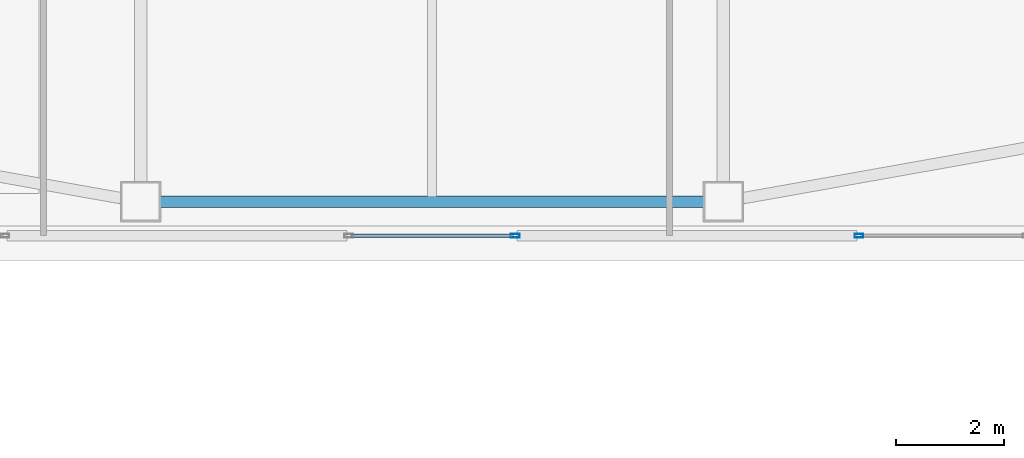
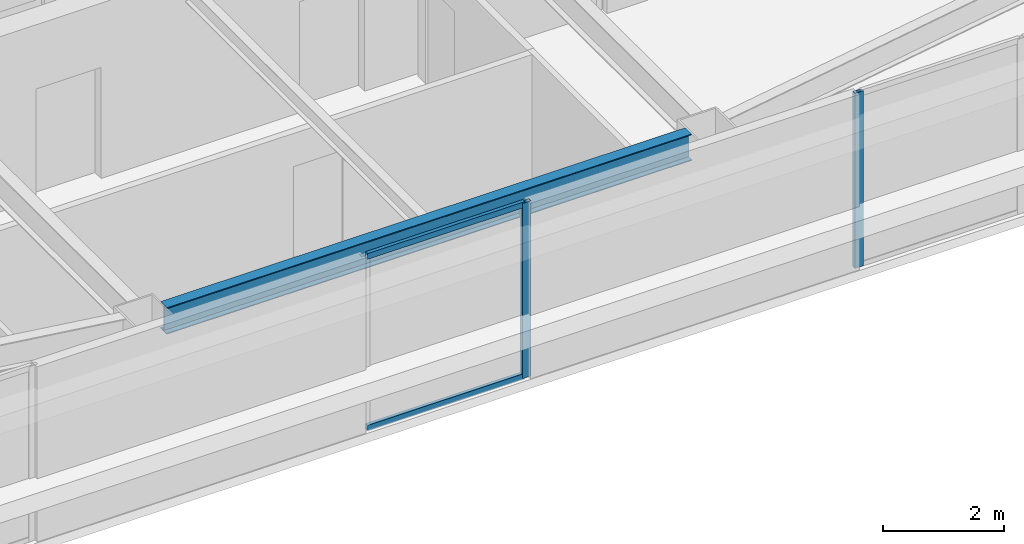
# One storey, part 6 of 44: 4 members, 1 beam, 2 elements without a shape of their own.
"""IFC4 building model written with IfcOpenShell, lengths in metres."""

from ifc_helpers import new_model, si_unit, direction, frame, origin, origin_2d, place, context, subcontext, project, spatial, hollow_rectangle, i_section, extrude, material, material_profile, profile_set, type_object, element, aggregate, save


model = new_model("IFC4")

# Units and contexts
model_context = context("Model", 3, precision=1e-05, world=origin(), true_north=direction((0.0, 1.0)))
body_context = subcontext(model_context, "Body", "Model", "MODEL_VIEW")
ifc_project = project(units=[si_unit("LENGTHUNIT", "METRE"), si_unit("AREAUNIT", "SQUARE_METRE"), si_unit("VOLUMEUNIT", "CUBIC_METRE"), si_unit("PLANEANGLEUNIT", "RADIAN"), si_unit("MASSUNIT", "GRAM", prefix="KILO")], contexts=[model_context])

# Site, building, storey
site_placement = place(None, origin())
site = spatial("IfcSite", under=ifc_project, at=site_placement, CompositionType="ELEMENT")
building_placement = place(site_placement, origin())
building = spatial("IfcBuilding", under=site, at=building_placement, Name="Tashvorn Skyway Center", CompositionType="ELEMENT")
storey_placement = place(building_placement, frame((0.0, 0.0, 211.300048828125)))
storey = spatial("IfcBuildingStorey", under=building, at=storey_placement, Name="L57", CompositionType="ELEMENT", Elevation=211.300048828125)

# Beam
ifc_material_1 = material(Name="Steel ASTM A992 Grade 50", Category="steel")
ifc_material_profile_1 = material_profile(ifc_material_1, i_section(OverallWidth=0.2109375, OverallDepth=0.5390625, WebThickness=0.01171875, FlangeThickness=0.018798828125, at=origin_2d()), Name="W21X73")
ifc_profile_set_1 = profile_set([ifc_material_profile_1], Name="Steel ASTM A992 Grade 50")
beam_type = type_object("IfcBeamType", Name="BM-SPANDREL-W21X73", PredefinedType="SPANDREL", material=ifc_profile_set_1)
beam_placement = place(storey_placement, frame((36.969970703125, 16.35009765625, 3.100341796875), z_axis=(1.0, 0.0, 0.0), x_axis=(0.0, 1.0, 0.0)))
element("IfcBeam", 1, at=beam_placement, inside=storey, type_object=beam_type, Name="Tower 1 L57 Spandrel Beam 02", PredefinedType="SPANDREL", context=body_context, shape_type="SweptSolid", body=[
    extrude(i_section(OverallWidth=0.2109375, OverallDepth=0.5390625, WebThickness=0.01171875, FlangeThickness=0.018798828125, at=origin_2d()), origin(), (0.0, 0.0, 1.0), 10.06005859375),
])

# Curtain wall, member
ifc_material_2 = material(Name="Thermally broken bronze-anodized aluminium 6063-T6", Category="aluminium")
curtain_wall_type = type_object("IfcCurtainWallType", Name="CW-CW-Z5", PredefinedType="NOTDEFINED", material=ifc_material_2)
curtain_wall_1_placement = place(storey_placement, origin())
curtain_wall_1 = element("IfcCurtainWall", 2, at=curtain_wall_1_placement, inside=storey, type_object=curtain_wall_type, Name="Tower 1 L57 South Unitised Curtain Wall Glazing Group 1", PredefinedType="NOTDEFINED")
ifc_material_profile_2 = material_profile(ifc_material_2, hollow_rectangle(XDim=0.070068359375, YDim=0.1650390625, WallThickness=0.00390625, at=origin_2d()), Name="ALU-MULL-70x165")
ifc_profile_set_2 = profile_set([ifc_material_profile_2], Name="Thermally broken bronze-anodized aluminium 6063-T6")
member_type_1 = type_object("IfcMemberType", Name="CWM-CW-Z5", PredefinedType="MULLION", material=ifc_profile_set_2)
member_1_placement = place(storey_placement, frame((49.912841796875, 15.719970703125, 0.0), z_axis=(0.0, 0.0, 1.0), x_axis=(0.0, -1.0, 0.0)))
member_1 = element("IfcMember", 3, at=member_1_placement, type_object=member_type_1, Name="CW-Z5 mullion 3", PredefinedType="MULLION", context=body_context, shape_type="SweptSolid", body=[
    extrude(hollow_rectangle(XDim=0.070068359375, YDim=0.1650390625, WallThickness=0.00390625, at=origin_2d()), origin(), (0.0, 0.0, 1.0), 3.550048828125),
])
aggregate(curtain_wall_1, [member_1])

# Curtain wall, members
curtain_wall_2_placement = place(storey_placement, origin())
curtain_wall_2 = element("IfcCurtainWall", 4, at=curtain_wall_2_placement, inside=storey, type_object=curtain_wall_type, Name="Tower 1 L57 South Unitised Curtain Wall Glazing Group 2", PredefinedType="NOTDEFINED")
member_2_placement = place(storey_placement, frame((43.54052734375, 15.719970703125, 0.0), z_axis=(0.0, 0.0, 1.0), x_axis=(0.0, -1.0, 0.0)))
member_2 = element("IfcMember", 5, at=member_2_placement, type_object=member_type_1, Name="CW-Z5 mullion 1", PredefinedType="MULLION", context=body_context, shape_type="SweptSolid", body=[
    extrude(hollow_rectangle(XDim=0.070068359375, YDim=0.1650390625, WallThickness=0.00390625, at=origin_2d()), origin(), (0.0, 0.0, 1.0), 3.550048828125),
])
ifc_material_profile_3 = material_profile(ifc_material_2, hollow_rectangle(XDim=0.070068359375, YDim=0.114990234375, WallThickness=0.00390625, at=origin_2d()), Name="ALU-TRAN-70x115")
ifc_profile_set_3 = profile_set([ifc_material_profile_3], Name="Thermally broken bronze-anodized aluminium 6063-T6")
member_type_2 = type_object("IfcMemberType", Name="CWT-CW-Z5", PredefinedType="USERDEFINED", material=ifc_profile_set_3)
member_3_placement = place(storey_placement, frame((43.505615234375, 15.719970703125, 0.034912109375), z_axis=(-1.0, 0.0, 0.0), x_axis=(0.0, -1.0, 0.0)))
member_3 = element("IfcMember", 6, at=member_3_placement, type_object=member_type_2, Name="CW-Z5 transom 1.1", ObjectType="TRANSOM", PredefinedType="USERDEFINED", context=body_context, shape_type="SweptSolid", body=[
    extrude(hollow_rectangle(XDim=0.070068359375, YDim=0.114990234375, WallThickness=0.00390625, at=origin_2d()), origin(), (0.0, 0.0, 1.0), 3.01123046875),
])
member_4_placement = place(storey_placement, frame((43.505615234375, 15.719970703125, 3.514892578125), z_axis=(-1.0, 0.0, 0.0), x_axis=(0.0, -1.0, 0.0)))
member_4 = element("IfcMember", 7, at=member_4_placement, type_object=member_type_2, Name="CW-Z5 transom 1.2", ObjectType="TRANSOM", PredefinedType="USERDEFINED", context=body_context, shape_type="SweptSolid", body=[
    extrude(hollow_rectangle(XDim=0.070068359375, YDim=0.114990234375, WallThickness=0.00390625, at=origin_2d()), origin(), (0.0, 0.0, 1.0), 3.01123046875),
])
aggregate(curtain_wall_2, [member_2, member_3, member_4])

save(model, "model.ifc")
